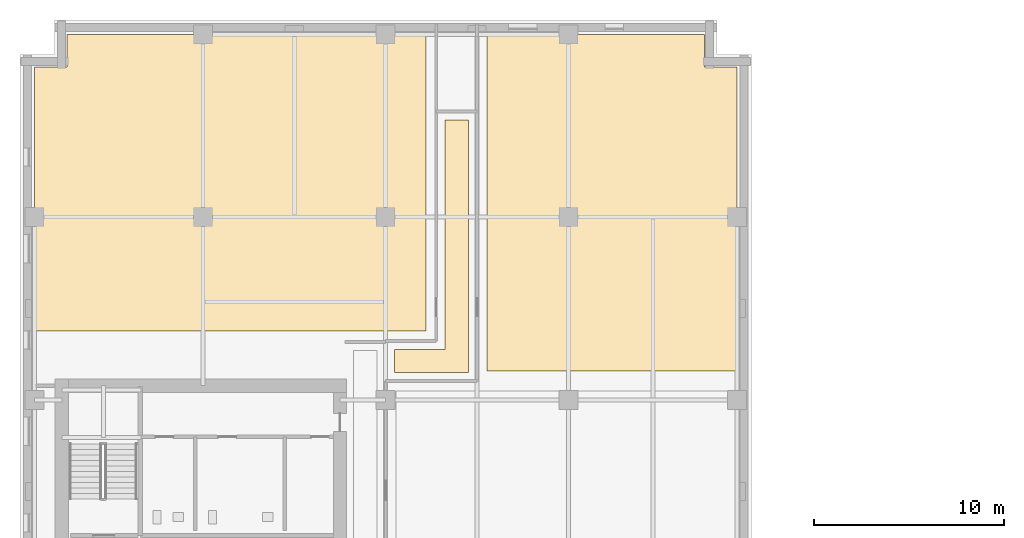
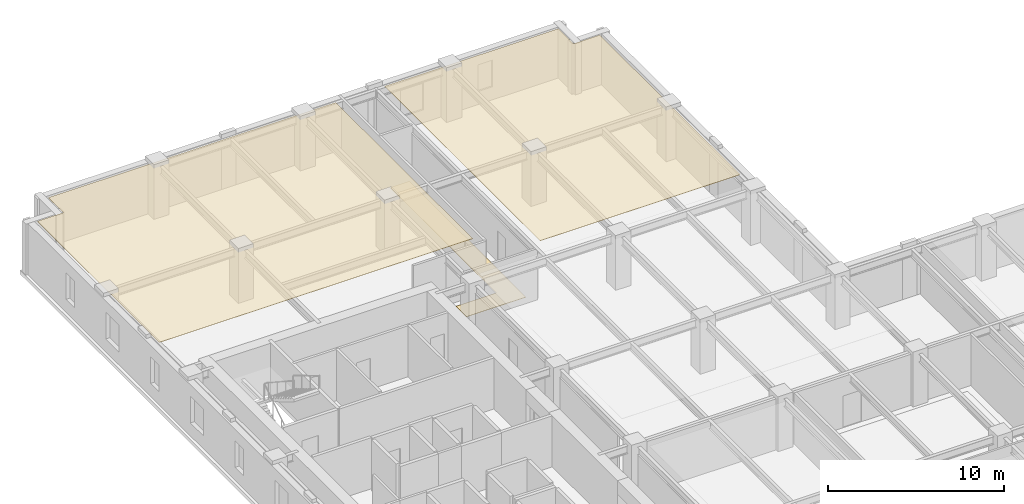
# One storey, part 11 of 12: 3 coverings.
"""IFC4 building model written with IfcOpenShell, lengths in metres."""

from ifc_helpers import new_model, si_unit, direction, frame, origin, place, context, subcontext, project, spatial, polyline, outline, extrude, material, layer, layer_set, type_object, element, save


model = new_model("IFC4")

# Units and contexts
model_context = context("Model", 3, precision=1e-05, world=origin(), true_north=direction((0.0, 1.0)))
body_context = subcontext(model_context, "Body", "Model", "MODEL_VIEW")
ifc_project = project(units=[si_unit("LENGTHUNIT", "METRE"), si_unit("AREAUNIT", "SQUARE_METRE"), si_unit("VOLUMEUNIT", "CUBIC_METRE"), si_unit("PLANEANGLEUNIT", "RADIAN"), si_unit("MASSUNIT", "GRAM", prefix="KILO")], contexts=[model_context])

# Site, building, storey
site_placement = place(None, origin())
site = spatial("IfcSite", under=ifc_project, at=site_placement, CompositionType="ELEMENT")
building_placement = place(site_placement, origin())
building = spatial("IfcBuilding", under=site, at=building_placement, Name="Norrvale University Quadrangle", CompositionType="ELEMENT")
storey_placement = place(building_placement, frame((0.0, 0.0, 135.60009765625)))
storey = spatial("IfcBuildingStorey", under=building, at=storey_placement, Name="L34", CompositionType="ELEMENT", Elevation=135.60009765625)

# Coverings
ifc_material_1 = material(Name="Perforated Acoustic Mineral Ceiling")
ifc_layer_1 = layer(ifc_material_1, 0.02490234375, Name="Perforated Acoustic Mineral Ceiling")
ifc_layer_set_1 = layer_set([ifc_layer_1], Name="Perforated Acoustic Mineral Ceiling")
covering_type_1 = type_object("IfcCoveringType", Name="Covering Acoustic Ceiling 25", PredefinedType="CEILING", material=ifc_layer_set_1)
covering_1_placement = place(storey_placement, frame((0.0, 0.0, 3.514892578125)))
element("IfcCovering", 1, at=covering_1_placement, inside=storey, type_object=covering_type_1, Name="Acoustic Ceiling RM-L34-NE01", PredefinedType="CEILING", context=body_context, shape_type="SweptSolid", body=[
    extrude(outline(polyline([(37.64990234375, 48.780029296875), (24.530029296875, 48.780029296875), (24.530029296875, 66.449951171875), (35.929931640625, 66.449951171875), (35.929931640625, 64.72998046875), (37.64990234375, 64.72998046875), (37.64990234375, 48.780029296875)])), origin(), (0.0, 0.0, 1.0), 0.02490234375),
])
covering_2_placement = place(storey_placement, frame((0.0, 0.0, 3.514892578125)))
element("IfcCovering", 2, at=covering_2_placement, inside=storey, type_object=covering_type_1, Name="Acoustic Ceiling RM-L34-NW01", PredefinedType="CEILING", context=body_context, shape_type="SweptSolid", body=[
    extrude(outline(polyline([(21.320068359375, 66.449951171875), (21.320068359375, 50.8798828125), (0.75, 50.8798828125), (0.75, 64.72998046875), (2.469970703125, 64.72998046875), (2.469970703125, 66.449951171875), (21.320068359375, 66.449951171875)])), origin(), (0.0, 0.0, 1.0), 0.02490234375),
])
ifc_material_2 = material(Name="Polished Terrazzo Flooring")
ifc_layer_2 = layer(ifc_material_2, 0.02490234375, Name="Polished Terrazzo Flooring")
ifc_layer_set_2 = layer_set([ifc_layer_2], Name="Polished Terrazzo Flooring")
covering_type_2 = type_object("IfcCoveringType", Name="Covering Terrazzo Floor 30", PredefinedType="FLOORING", material=ifc_layer_set_2)
covering_3_placement = place(storey_placement, origin())
element("IfcCovering", 3, at=covering_3_placement, inside=storey, type_object=covering_type_2, Name="Terrazzo Flooring RM-L34-NCJOG", PredefinedType="FLOORING", context=body_context, shape_type="SweptSolid", body=[
    extrude(outline(polyline([(19.64990234375, 48.699951171875), (19.64990234375, 49.89990234375), (22.300048828125, 49.89990234375), (22.300048828125, 61.949951171875), (23.550048828125, 61.949951171875), (23.550048828125, 48.699951171875), (19.64990234375, 48.699951171875)])), origin(), (0.0, 0.0, 1.0), 0.02490234375),
])

save(model, "model.ifc")
